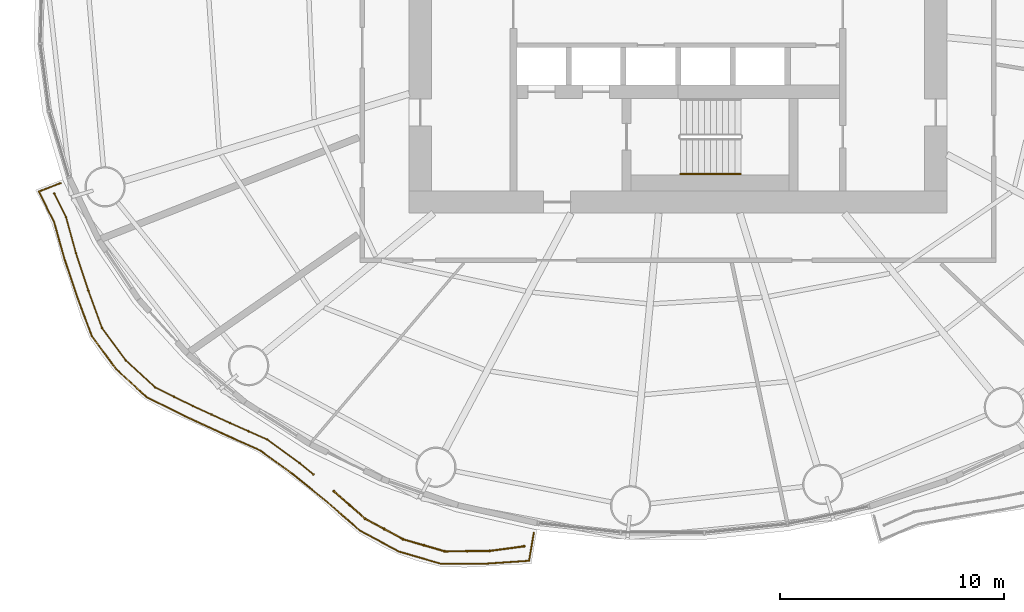
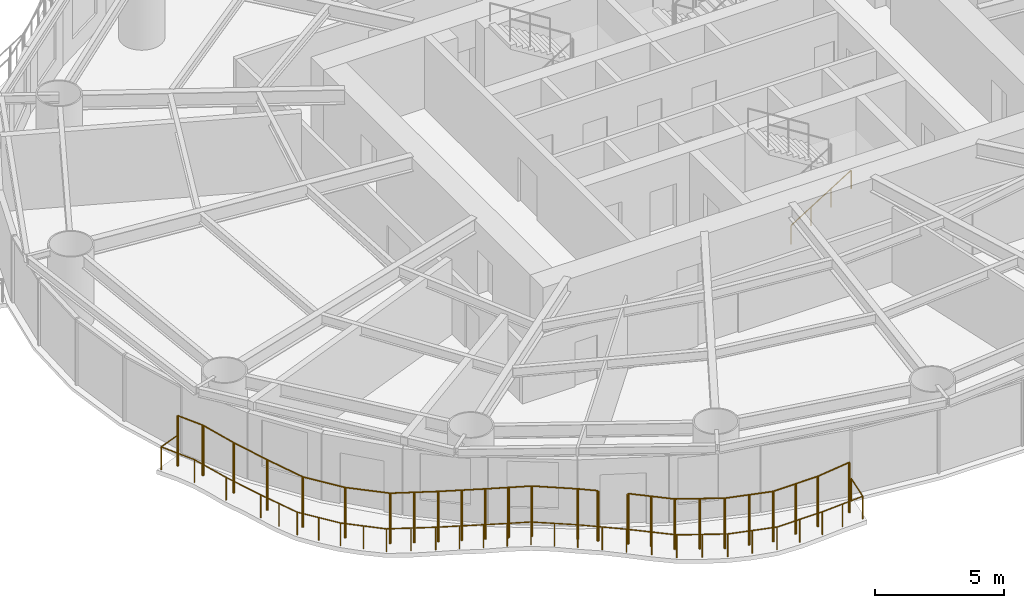
# One storey, part 12 of 16: 4 railings.
"""IFC4 building model written with IfcOpenShell, lengths in metres."""

from ifc_helpers import new_model, si_unit, direction, frame, origin, origin_2d, place, context, subcontext, project, spatial, circle, extrude, material, type_object, element, save


model = new_model("IFC4")

# Units and contexts
model_context = context("Model", 3, precision=1e-05, world=origin(), true_north=direction((0.0, 1.0)))
body_context = subcontext(model_context, "Body", "Model", "MODEL_VIEW")
ifc_project = project(units=[si_unit("LENGTHUNIT", "METRE"), si_unit("AREAUNIT", "SQUARE_METRE"), si_unit("VOLUMEUNIT", "CUBIC_METRE"), si_unit("PLANEANGLEUNIT", "RADIAN"), si_unit("MASSUNIT", "GRAM", prefix="KILO")], contexts=[model_context])

# Site, building, storey
site_placement = place(None, origin())
site = spatial("IfcSite", under=ifc_project, at=site_placement, CompositionType="ELEMENT")
building_placement = place(site_placement, origin())
building = spatial("IfcBuilding", under=site, at=building_placement, Name="Vermilion Reach Broadcast Tower", CompositionType="ELEMENT")
storey_placement = place(building_placement, frame((0.0, 0.0, 47.10009765625)))
storey = spatial("IfcBuildingStorey", under=building, at=storey_placement, Name="L08", CompositionType="ELEMENT", Elevation=47.10009765625)

# Railings
ifc_material_1 = material(Name="Terracotta baguette", Category="masonry")
railing_type_1 = type_object("IfcRailingType", Name="BAGUETTE SCREEN", PredefinedType="USERDEFINED", material=ifc_material_1)
railing_1_placement = place(storey_placement, frame((-33.84326171875, -8.11962890625, 0.0)))
element("IfcRailing", 1, at=railing_1_placement, inside=storey, type_object=railing_type_1, Name="Baguette screen L08 group 3 part 1", ObjectType="BAGUETTE SCREEN", PredefinedType="USERDEFINED", context=body_context, shape_type="SweptSolid", body=[
    extrude(circle(Radius=0.030029296875, at=origin_2d()), frame((0.0, 0.0, 2.369873046875), z_axis=(0.443729974972, -0.896160537689, 0.0), x_axis=(0.896160537689, 0.443729974972, 0.0)), (0.0, 0.0, 1.0), 1.178466796875),
    extrude(circle(Radius=0.030029296875, at=origin_2d()), frame((0.52294921875, -1.05615234375, 2.369873046875), z_axis=(0.265723137698, -0.964049383638, 0.0), x_axis=(0.964049383638, 0.265723137698, 0.0)), (0.0, 0.0, 1.0), 1.672119140625),
    extrude(circle(Radius=0.030029296875, at=origin_2d()), frame((0.96728515625, -2.668212890625, 2.369873046875), z_axis=(0.314128140387, -0.949380593554, 0.0), x_axis=(0.949380593554, 0.314128140387, 0.0)), (0.0, 0.0, 1.0), 1.744873046875),
    extrude(circle(Radius=0.030029296875, at=origin_2d()), frame((1.515380859375, -4.32470703125, 2.369873046875), z_axis=(0.343130604065, -0.939287702759, 0.0), x_axis=(0.939287702759, 0.343130604065, 0.0)), (0.0, 0.0, 1.0), 1.793701171875),
    extrude(circle(Radius=0.030029296875, at=origin_2d()), frame((2.130859375, -6.009521484375, 2.369873046875), z_axis=(0.592822339952, -0.805333268438, 0.0), x_axis=(0.805333268438, 0.592822339952, 0.0)), (0.0, 0.0, 1.0), 1.791015625),
    extrude(circle(Radius=0.030029296875, at=origin_2d()), frame((3.192626953125, -7.451904296875, 2.369873046875), z_axis=(0.736961000489, -0.675935265952, 0.0), x_axis=(0.675935265952, 0.736961000489, 0.0)), (0.0, 0.0, 1.0), 1.7841796875),
    extrude(circle(Radius=0.030029296875, at=origin_2d()), frame((4.507568359375, -8.657958984375, 2.369873046875), z_axis=(0.8964238516, -0.443197786865, 0.0), x_axis=(0.443197786865, 0.8964238516, 0.0)), (0.0, 0.0, 1.0), 1.87451171875),
    extrude(circle(Radius=0.030029296875, at=origin_2d()), frame((6.18798828125, -9.48876953125, 2.369873046875), z_axis=(0.909390436465, -0.415943546729, 0.0), x_axis=(0.415943546729, 0.909390436465, 0.0)), (0.0, 0.0, 1.0), 1.82080078125),
    extrude(circle(Radius=0.030029296875, at=origin_2d()), frame((7.84375, -10.24609375, 2.369873046875), z_axis=(0.913938753988, -0.40585213312, 0.0), x_axis=(0.40585213312, 0.913938753988, 0.0)), (0.0, 0.0, 1.0), 1.819580078125),
    extrude(circle(Radius=0.030029296875, at=origin_2d()), frame((9.5068359375, -10.984619140625, 2.369873046875), z_axis=(0.808251358382, -0.588837619105, 0.0), x_axis=(0.588837619105, 0.808251358382, 0.0)), (0.0, 0.0, 1.0), 1.787109375),
    extrude(circle(Radius=0.030029296875, at=origin_2d()), frame((10.951171875, -12.036865234375, 2.369873046875), z_axis=(0.774774332178, -0.632237877857, 0.0), x_axis=(0.632237877857, 0.774774332178, 0.0)), (0.0, 0.0, 1.0), 0.798095703125),
    extrude(circle(Radius=0.050048828125, at=origin_2d()), origin(), (0.0, 0.0, 1.0), 2.33984375),
    extrude(circle(Radius=0.050048828125, at=origin_2d()), frame((0.52294921875, -1.05615234375, 0.0)), (0.0, 0.0, 1.0), 2.33984375),
    extrude(circle(Radius=0.050048828125, at=origin_2d()), frame((0.96728515625, -2.668212890625, 0.0)), (0.0, 0.0, 1.0), 2.33984375),
    extrude(circle(Radius=0.050048828125, at=origin_2d()), frame((1.515380859375, -4.32470703125, 0.0)), (0.0, 0.0, 1.0), 2.33984375),
    extrude(circle(Radius=0.050048828125, at=origin_2d()), frame((2.130859375, -6.009521484375, 0.0)), (0.0, 0.0, 1.0), 2.33984375),
    extrude(circle(Radius=0.050048828125, at=origin_2d()), frame((3.192626953125, -7.451904296875, 0.0)), (0.0, 0.0, 1.0), 2.33984375),
    extrude(circle(Radius=0.050048828125, at=origin_2d()), frame((4.507568359375, -8.657958984375, 0.0)), (0.0, 0.0, 1.0), 2.33984375),
    extrude(circle(Radius=0.050048828125, at=origin_2d()), frame((5.34765625, -9.0732421875, 0.0)), (0.0, 0.0, 1.0), 2.33984375),
    extrude(circle(Radius=0.050048828125, at=origin_2d()), frame((6.18798828125, -9.48876953125, 0.0)), (0.0, 0.0, 1.0), 2.33984375),
    extrude(circle(Radius=0.050048828125, at=origin_2d()), frame((7.015869140625, -9.867431640625, 0.0)), (0.0, 0.0, 1.0), 2.33984375),
    extrude(circle(Radius=0.050048828125, at=origin_2d()), frame((7.84375, -10.24609375, 0.0)), (0.0, 0.0, 1.0), 2.33984375),
    extrude(circle(Radius=0.050048828125, at=origin_2d()), frame((8.67529296875, -10.615234375, 0.0)), (0.0, 0.0, 1.0), 2.33984375),
    extrude(circle(Radius=0.050048828125, at=origin_2d()), frame((9.5068359375, -10.984619140625, 0.0)), (0.0, 0.0, 1.0), 2.33984375),
    extrude(circle(Radius=0.050048828125, at=origin_2d()), frame((10.951171875, -12.036865234375, 0.0)), (0.0, 0.0, 1.0), 2.33984375),
    extrude(circle(Radius=0.050048828125, at=origin_2d()), frame((11.569580078125, -12.54150390625, 0.0)), (0.0, 0.0, 1.0), 2.33984375),
])
railing_2_placement = place(storey_placement, frame((-21.363037109375, -21.40966796875, 0.0)))
element("IfcRailing", 2, at=railing_2_placement, inside=storey, type_object=railing_type_1, Name="Baguette screen L08 group 3 part 2", ObjectType="BAGUETTE SCREEN", PredefinedType="USERDEFINED", context=body_context, shape_type="SweptSolid", body=[
    extrude(circle(Radius=0.030029296875, at=origin_2d()), frame((0.0, 0.0, 2.369873046875), z_axis=(0.749884013726, -0.661569320599, 0.0), x_axis=(0.661569320599, 0.749884013726, 0.0)), (0.0, 0.0, 1.0), 1.852294921875),
    extrude(circle(Radius=0.030029296875, at=origin_2d()), frame((1.388916015625, -1.225341796875, 2.369873046875), z_axis=(0.880301468461, -0.474414717969, 0.0), x_axis=(0.474414717969, 0.880301468461, 0.0)), (0.0, 0.0, 1.0), 1.941650390625),
    extrude(circle(Radius=0.030029296875, at=origin_2d()), frame((3.09814453125, -2.146484375, 2.369873046875), z_axis=(0.960150203258, -0.279484502584, 0.0), x_axis=(0.279484502584, 0.960150203258, 0.0)), (0.0, 0.0, 1.0), 1.927978515625),
    extrude(circle(Radius=0.030029296875, at=origin_2d()), frame((4.94921875, -2.685302734375, 2.369873046875), z_axis=(0.999952689999, 0.009727166245, 0.0), x_axis=(-0.009727166245, 0.999952689999, 0.0)), (0.0, 0.0, 1.0), 2.0078125),
    extrude(circle(Radius=0.030029296875, at=origin_2d()), frame((6.95703125, -2.665771484375, 2.369873046875), z_axis=(0.991110069833, 0.133044464282, 0.0), x_axis=(-0.133044464282, 0.991110069833, 0.0)), (0.0, 0.0, 1.0), 1.543212890625),
    extrude(circle(Radius=0.050048828125, at=origin_2d()), origin(), (0.0, 0.0, 1.0), 2.33984375),
    extrude(circle(Radius=0.050048828125, at=origin_2d()), frame((0.6943359375, -0.61279296875, 0.0)), (0.0, 0.0, 1.0), 2.33984375),
    extrude(circle(Radius=0.050048828125, at=origin_2d()), frame((1.388916015625, -1.225341796875, 0.0)), (0.0, 0.0, 1.0), 2.33984375),
    extrude(circle(Radius=0.050048828125, at=origin_2d()), frame((2.24365234375, -1.68603515625, 0.0)), (0.0, 0.0, 1.0), 2.33984375),
    extrude(circle(Radius=0.050048828125, at=origin_2d()), frame((3.09814453125, -2.146484375, 0.0)), (0.0, 0.0, 1.0), 2.33984375),
    extrude(circle(Radius=0.050048828125, at=origin_2d()), frame((4.023681640625, -2.416015625, 0.0)), (0.0, 0.0, 1.0), 2.33984375),
    extrude(circle(Radius=0.050048828125, at=origin_2d()), frame((4.94921875, -2.685302734375, 0.0)), (0.0, 0.0, 1.0), 2.33984375),
    extrude(circle(Radius=0.050048828125, at=origin_2d()), frame((5.953125, -2.675537109375, 0.0)), (0.0, 0.0, 1.0), 2.33984375),
    extrude(circle(Radius=0.050048828125, at=origin_2d()), frame((6.95703125, -2.665771484375, 0.0)), (0.0, 0.0, 1.0), 2.33984375),
    extrude(circle(Radius=0.050048828125, at=origin_2d()), frame((8.486572265625, -2.46044921875, 0.0)), (0.0, 0.0, 1.0), 2.33984375),
])
ifc_material_2 = material(Name="Stainless steel 316 balustrade", Category="steel")
railing_type_2 = type_object("IfcRailingType", Name="Balcony guard 1100", PredefinedType="BALUSTRADE", material=ifc_material_2)
railing_3_placement = place(storey_placement, frame((-33.560302734375, -7.658935546875, 0.0)))
element("IfcRailing", 3, at=railing_3_placement, inside=storey, type_object=railing_type_2, Name="Balcony guard L08 group 3", PredefinedType="BALUSTRADE", context=body_context, shape_type="SweptSolid", body=[
    extrude(circle(Radius=0.02490234375, at=origin_2d()), frame((0.0, 0.0, 1.0751953125), z_axis=(-0.933891966994, -0.357555301995, 0.0), x_axis=(0.357555301995, -0.933891966994, 0.0)), (0.0, 0.0, 1.0), 1.034423828125),
    extrude(circle(Radius=0.02490234375, at=origin_2d()), frame((-0.966064453125, -0.369873046875, 1.0751953125), z_axis=(0.439148112759, -0.898414678787, 0.0), x_axis=(0.898414678787, 0.439148112759, 0.0)), (0.0, 0.0, 1.0), 1.55322265625),
    extrude(circle(Radius=0.02490234375, at=origin_2d()), frame((-0.283935546875, -1.765380859375, 1.0751953125), z_axis=(0.270712585111, -0.96266021849, 0.0), x_axis=(0.96266021849, 0.270712585111, 0.0)), (0.0, 0.0, 1.0), 1.71435546875),
    extrude(circle(Radius=0.02490234375, at=origin_2d()), frame((0.18017578125, -3.415771484375, 1.0751953125), z_axis=(0.31942293221, -0.947612257402, 0.0), x_axis=(0.947612257402, 0.31942293221, 0.0)), (0.0, 0.0, 1.0), 1.786865234375),
    extrude(circle(Radius=0.02490234375, at=origin_2d()), frame((0.7509765625, -5.109130859375, 1.0751953125), z_axis=(0.3489920964, -0.93712566748, 0.0), x_axis=(0.93712566748, 0.3489920964, 0.0)), (0.0, 0.0, 1.0), 1.83349609375),
    extrude(circle(Radius=0.02490234375, at=origin_2d()), frame((1.390869140625, -6.827392578125, 1.0751953125), z_axis=(0.59394882806, -0.804502821404, 0.0), x_axis=(0.804502821404, 0.59394882806, 0.0)), (0.0, 0.0, 1.0), 1.83203125),
    extrude(circle(Radius=0.02490234375, at=origin_2d()), frame((2.47900390625, -8.30126953125, 1.0751953125), z_axis=(0.736141793198, -0.676827348966, 0.0), x_axis=(0.676827348966, 0.736141793198, 0.0)), (0.0, 0.0, 1.0), 1.823486328125),
    extrude(circle(Radius=0.02490234375, at=origin_2d()), frame((3.8212890625, -9.535400390625, 1.0751953125), z_axis=(0.89386478813, -0.448336637519, 0.0), x_axis=(0.448336637519, 0.89386478813, 0.0)), (0.0, 0.0, 1.0), 1.912353515625),
    extrude(circle(Radius=0.02490234375, at=origin_2d()), frame((5.53076171875, -10.392822265625, 1.0751953125), z_axis=(0.907435344796, -0.420191736014, 0.0), x_axis=(0.420191736014, 0.907435344796, 0.0)), (0.0, 0.0, 1.0), 1.85693359375),
    extrude(circle(Radius=0.02490234375, at=origin_2d()), frame((7.2158203125, -11.173095703125, 1.0751953125), z_axis=(0.912444979228, -0.409199413345, 0.0), x_axis=(0.409199413345, 0.912444979228, 0.0)), (0.0, 0.0, 1.0), 1.856201171875),
    extrude(circle(Radius=0.02490234375, at=origin_2d()), frame((8.909423828125, -11.9326171875, 1.0751953125), z_axis=(0.809274496202, -0.587430668076, 0.0), x_axis=(0.587430668076, 0.809274496202, 0.0)), (0.0, 0.0, 1.0), 1.822509765625),
    extrude(circle(Radius=0.02490234375, at=origin_2d()), frame((10.38427734375, -13.003173828125, 1.0751953125), z_axis=(0.777003909146, -0.629495770575, 0.0), x_axis=(0.629495770575, 0.777003909146, 0.0)), (0.0, 0.0, 1.0), 1.91162109375),
    extrude(circle(Radius=0.02490234375, at=origin_2d()), frame((11.86962890625, -14.20654296875, 1.0751953125), z_axis=(0.753224067245, -0.657764018873, 0.0), x_axis=(0.657764018873, 0.753224067245, 0.0)), (0.0, 0.0, 1.0), 1.984619140625),
    extrude(circle(Radius=0.02490234375, at=origin_2d()), frame((13.364501953125, -15.511962890625, 1.0751953125), z_axis=(0.881386242637, -0.472396328616, 0.0), x_axis=(0.472396328616, 0.881386242637, 0.0)), (0.0, 0.0, 1.0), 1.975341796875),
    extrude(circle(Radius=0.02490234375, at=origin_2d()), frame((15.10546875, -16.445068359375, 1.0751953125), z_axis=(0.960015340872, -0.279947397364, 0.0), x_axis=(0.279947397364, 0.960015340872, 0.0)), (0.0, 0.0, 1.0), 1.96044921875),
    extrude(circle(Radius=0.02490234375, at=origin_2d()), frame((16.987548828125, -16.993896484375, 1.0751953125), z_axis=(0.999984174171, 0.005625958366, 0.0), x_axis=(-0.005625958366, 0.999984174171, 0.0)), (0.0, 0.0, 1.0), 2.03955078125),
    extrude(circle(Radius=0.02490234375, at=origin_2d()), frame((19.027099609375, -16.982421875, 1.0751953125), z_axis=(0.997733910255, 0.067283313881, 0.0), x_axis=(-0.067283313881, 0.997733910255, 0.0)), (0.0, 0.0, 1.0), 1.886962890625),
    extrude(circle(Radius=0.02490234375, at=origin_2d()), frame((20.90966796875, -16.85546875, 1.0751953125), z_axis=(0.165518545855, 0.986206677618, 0.0), x_axis=(-0.986206677618, 0.165518545855, 0.0)), (0.0, 0.0, 1.0), 1.27294921875),
    extrude(circle(Radius=0.02490234375, at=origin_2d()), origin(), (0.0, 0.0, 1.0), 1.050048828125),
    extrude(circle(Radius=0.02490234375, at=origin_2d()), frame((-0.966064453125, -0.369873046875, 0.0)), (0.0, 0.0, 1.0), 1.050048828125),
    extrude(circle(Radius=0.02490234375, at=origin_2d()), frame((-0.283935546875, -1.765380859375, 0.0)), (0.0, 0.0, 1.0), 1.050048828125),
    extrude(circle(Radius=0.02490234375, at=origin_2d()), frame((0.18017578125, -3.415771484375, 0.0)), (0.0, 0.0, 1.0), 1.050048828125),
    extrude(circle(Radius=0.02490234375, at=origin_2d()), frame((0.7509765625, -5.109130859375, 0.0)), (0.0, 0.0, 1.0), 1.050048828125),
    extrude(circle(Radius=0.02490234375, at=origin_2d()), frame((1.07080078125, -5.96826171875, 0.0)), (0.0, 0.0, 1.0), 1.050048828125),
    extrude(circle(Radius=0.02490234375, at=origin_2d()), frame((1.390869140625, -6.827392578125, 0.0)), (0.0, 0.0, 1.0), 1.050048828125),
    extrude(circle(Radius=0.02490234375, at=origin_2d()), frame((1.93505859375, -7.564453125, 0.0)), (0.0, 0.0, 1.0), 1.050048828125),
    extrude(circle(Radius=0.02490234375, at=origin_2d()), frame((2.47900390625, -8.30126953125, 0.0)), (0.0, 0.0, 1.0), 1.050048828125),
    extrude(circle(Radius=0.02490234375, at=origin_2d()), frame((3.150146484375, -8.91845703125, 0.0)), (0.0, 0.0, 1.0), 1.050048828125),
    extrude(circle(Radius=0.02490234375, at=origin_2d()), frame((3.8212890625, -9.535400390625, 0.0)), (0.0, 0.0, 1.0), 1.050048828125),
    extrude(circle(Radius=0.02490234375, at=origin_2d()), frame((4.676025390625, -9.964111328125, 0.0)), (0.0, 0.0, 1.0), 1.050048828125),
    extrude(circle(Radius=0.02490234375, at=origin_2d()), frame((5.53076171875, -10.392822265625, 0.0)), (0.0, 0.0, 1.0), 1.050048828125),
    extrude(circle(Radius=0.02490234375, at=origin_2d()), frame((6.373291015625, -10.782958984375, 0.0)), (0.0, 0.0, 1.0), 1.050048828125),
    extrude(circle(Radius=0.02490234375, at=origin_2d()), frame((7.2158203125, -11.173095703125, 0.0)), (0.0, 0.0, 1.0), 1.050048828125),
    extrude(circle(Radius=0.02490234375, at=origin_2d()), frame((8.0625, -11.552734375, 0.0)), (0.0, 0.0, 1.0), 1.050048828125),
    extrude(circle(Radius=0.02490234375, at=origin_2d()), frame((8.909423828125, -11.9326171875, 0.0)), (0.0, 0.0, 1.0), 1.050048828125),
    extrude(circle(Radius=0.02490234375, at=origin_2d()), frame((9.64697265625, -12.4677734375, 0.0)), (0.0, 0.0, 1.0), 1.050048828125),
    extrude(circle(Radius=0.02490234375, at=origin_2d()), frame((10.38427734375, -13.003173828125, 0.0)), (0.0, 0.0, 1.0), 1.050048828125),
    extrude(circle(Radius=0.02490234375, at=origin_2d()), frame((11.126953125, -13.60498046875, 0.0)), (0.0, 0.0, 1.0), 1.050048828125),
    extrude(circle(Radius=0.02490234375, at=origin_2d()), frame((11.86962890625, -14.20654296875, 0.0)), (0.0, 0.0, 1.0), 1.050048828125),
    extrude(circle(Radius=0.02490234375, at=origin_2d()), frame((12.6171875, -14.859375, 0.0)), (0.0, 0.0, 1.0), 1.050048828125),
    extrude(circle(Radius=0.02490234375, at=origin_2d()), frame((13.364501953125, -15.511962890625, 0.0)), (0.0, 0.0, 1.0), 1.050048828125),
    extrude(circle(Radius=0.02490234375, at=origin_2d()), frame((14.23486328125, -15.978515625, 0.0)), (0.0, 0.0, 1.0), 1.050048828125),
    extrude(circle(Radius=0.02490234375, at=origin_2d()), frame((15.10546875, -16.445068359375, 0.0)), (0.0, 0.0, 1.0), 1.050048828125),
    extrude(circle(Radius=0.02490234375, at=origin_2d()), frame((16.04638671875, -16.719482421875, 0.0)), (0.0, 0.0, 1.0), 1.050048828125),
    extrude(circle(Radius=0.02490234375, at=origin_2d()), frame((16.987548828125, -16.993896484375, 0.0)), (0.0, 0.0, 1.0), 1.050048828125),
    extrude(circle(Radius=0.02490234375, at=origin_2d()), frame((18.00732421875, -16.98828125, 0.0)), (0.0, 0.0, 1.0), 1.050048828125),
    extrude(circle(Radius=0.02490234375, at=origin_2d()), frame((19.027099609375, -16.982421875, 0.0)), (0.0, 0.0, 1.0), 1.050048828125),
    extrude(circle(Radius=0.02490234375, at=origin_2d()), frame((19.96826171875, -16.9189453125, 0.0)), (0.0, 0.0, 1.0), 1.050048828125),
    extrude(circle(Radius=0.02490234375, at=origin_2d()), frame((20.90966796875, -16.85546875, 0.0)), (0.0, 0.0, 1.0), 1.050048828125),
    extrude(circle(Radius=0.02490234375, at=origin_2d()), frame((21.120361328125, -15.60009765625, 0.0)), (0.0, 0.0, 1.0), 1.050048828125),
])
ifc_material_3 = material(Name="Stainless steel", Category="steel")
railing_type_3 = type_object("IfcRailingType", Name="Stair handrail", PredefinedType="HANDRAIL", material=ifc_material_3)
railing_4_placement = place(storey_placement, frame((-5.89990234375, -7.25, 0.16796875)))
element("IfcRailing", 4, at=railing_4_placement, inside=storey, type_object=railing_type_3, Name="L08 ST3 stair handrail 1", PredefinedType="HANDRAIL", context=body_context, shape_type="SweptSolid", body=[
    extrude(circle(Radius=0.02392578125, at=origin_2d()), frame((0.0, 0.0, 0.8759765625), z_axis=(0.848786430784, 0.0, 0.528735846068), x_axis=(0.0, 1.0, 0.0)), (0.0, 0.0, 1.0), 3.180908203125),
    extrude(circle(Radius=0.02099609375, at=origin_2d()), origin(), (0.0, 0.0, 1.0), 0.851806640625),
    extrude(circle(Radius=0.02099609375, at=origin_2d()), frame((0.89990234375, 0.0, 0.560546875)), (0.0, 0.0, 1.0), 0.851806640625),
    extrude(circle(Radius=0.02099609375, at=origin_2d()), frame((1.800048828125, 0.0, 1.121337890625)), (0.0, 0.0, 1.0), 0.851806640625),
    extrude(circle(Radius=0.02099609375, at=origin_2d()), frame((2.699951171875, 0.0, 1.681884765625)), (0.0, 0.0, 1.0), 0.851806640625),
])

save(model, "model.ifc")
